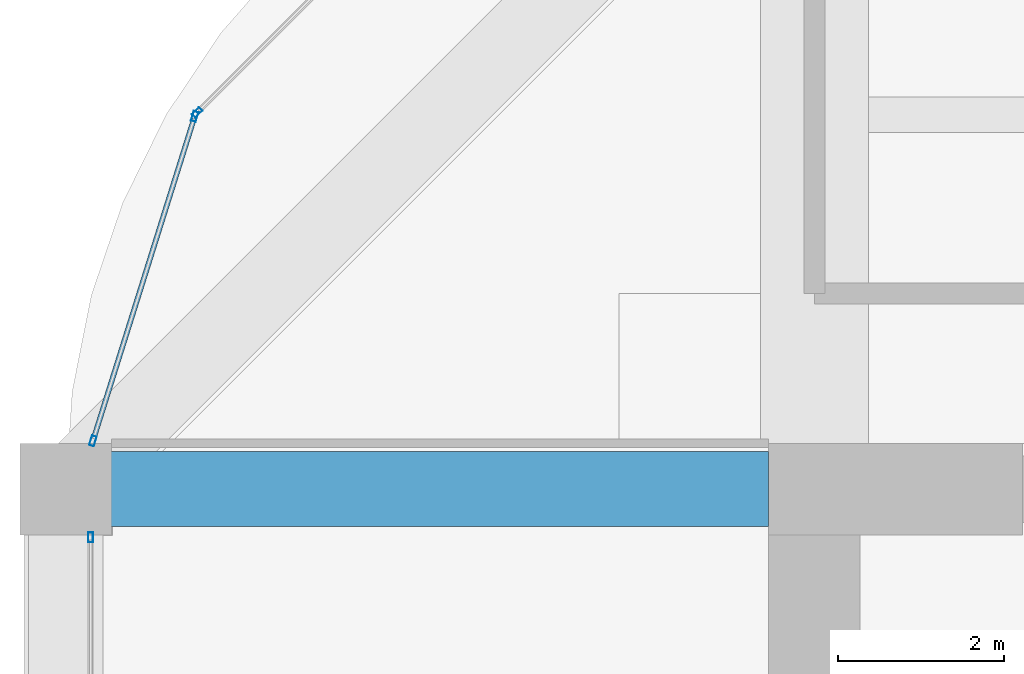
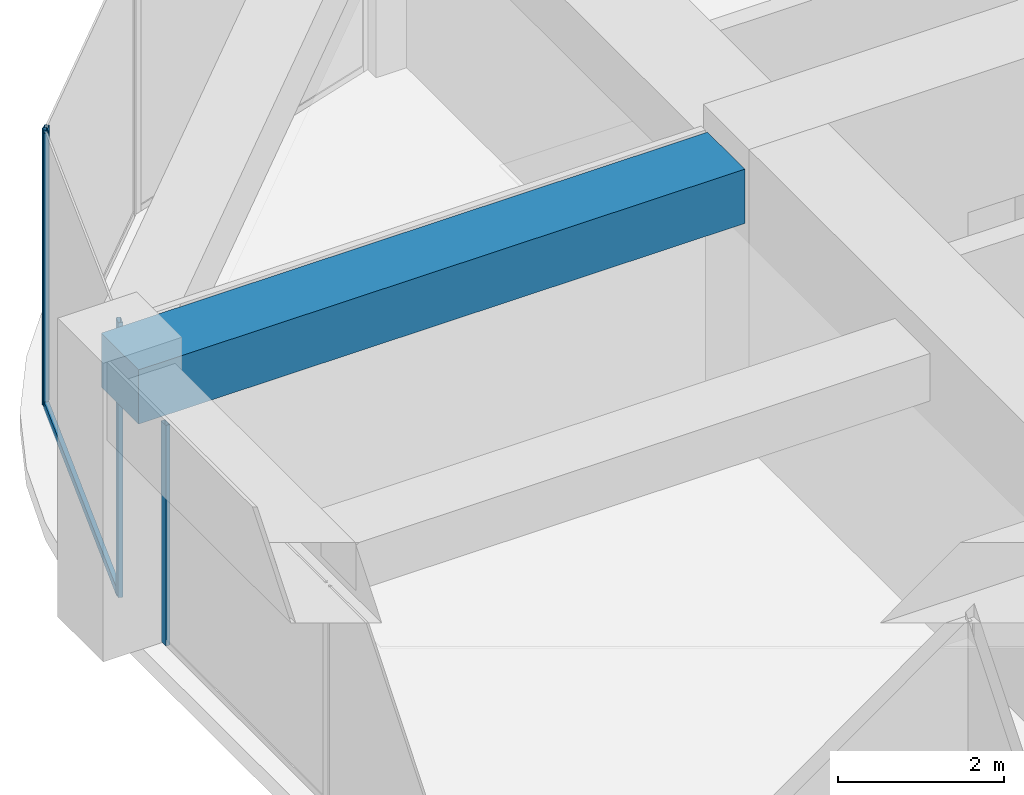
# One storey, part 28 of 44: 5 members, 1 beam, 3 elements without a shape of their own.
"""IFC4 building model written with IfcOpenShell, lengths in metres."""

import ifcopenshell
import ifcopenshell.guid

model = None  # the IFC model being written
_history = None  # IfcOwnerHistory: only IFC2X3 demands one
_inside = {}  # id of a spatial element -> (the spatial element, [elements in it])
_under = {}  # id of a project, library or spatial element -> (it, [spatial elements below it])
_declared = {}  # id of a project -> (the project, [libraries it declares])
_typed = {}  # id of a type object -> (the type object, [elements of that type])
_made_of = {}  # id of a material, layer set ... -> (it, [elements and type objects made of it])


def new_model(schema):
    """Start an empty IFC model of exactly this schema.

    Asked for "IFC4X3", IfcOpenShell would pick the latest addendum, in which some entities
    have other attributes; the version numbers below select the first issue.
    IFC2X3 requires an IfcOwnerHistory on every rooted entity: one is made here for all.
    """
    global model, _history
    if schema == "IFC4X3":
        model = ifcopenshell.file(schema_version=(4, 3, 0, 0))
    else:
        model = ifcopenshell.file(schema=schema)
    _inside.clear()
    _under.clear()
    _declared.clear()
    _typed.clear()
    _made_of.clear()
    _history = None
    if model.schema == "IFC2X3":
        org = make("IfcOrganization", Name="unknown")
        user = make(
            "IfcPersonAndOrganization",
            ThePerson=make("IfcPerson", FamilyName="unknown"),
            TheOrganization=org,
        )
        app = make(
            "IfcApplication",
            ApplicationDeveloper=org,
            Version="unknown",
            ApplicationFullName="unknown",
            ApplicationIdentifier="unknown",
        )
        _history = make(
            "IfcOwnerHistory",
            OwningUser=user,
            OwningApplication=app,
            ChangeAction="ADDED",
            CreationDate=0,
        )
    return model


def make(cls, **values):
    """One entity of the class cls with the attributes given. An attribute that is None is left unset."""
    return model.create_entity(
        cls, **{name: value for name, value in values.items() if value is not None}
    )


def rooted(cls, **values):
    """An entity with a GlobalId (a new one), such as an element, a storey or a relation."""
    return make(cls, GlobalId=ifcopenshell.guid.new(), OwnerHistory=_history, **values)


def si_unit(unit_type, name, prefix=None):
    """IfcSIUnit, for example si_unit("LENGTHUNIT", "METRE", prefix="MILLI")."""
    return make("IfcSIUnit", UnitType=unit_type, Prefix=prefix, Name=name)


def assignment(units):
    """IfcUnitAssignment: the units of a project."""
    return None if units is None else make("IfcUnitAssignment", Units=units)


def point(xyz):
    """IfcCartesianPoint."""
    return None if xyz is None else make("IfcCartesianPoint", Coordinates=xyz)


def direction(xyz):
    """IfcDirection."""
    return None if xyz is None else make("IfcDirection", DirectionRatios=xyz)


def frame(location, z_axis=None, x_axis=None):
    """IfcAxis2Placement3D, a coordinate frame: its origin and axes. An axis left out is left unset."""
    return make(
        "IfcAxis2Placement3D",
        Location=point(location),
        Axis=direction(z_axis),
        RefDirection=direction(x_axis),
    )


def frame_2d(location, x_axis=None):
    """IfcAxis2Placement2D, a coordinate frame in the plane: its origin and x axis."""
    return make(
        "IfcAxis2Placement2D", Location=point(location), RefDirection=direction(x_axis)
    )


def origin():
    """The frame at (0, 0, 0) with its axes left unset."""
    return frame((0.0, 0.0, 0.0))


def origin_2d():
    """The frame at (0, 0) in the plane with its x axis left unset."""
    return frame_2d((0.0, 0.0))


def place(relative_to, where):
    """IfcLocalPlacement: puts the frame where relative to a parent placement (None: the world)."""
    return make(
        "IfcLocalPlacement", PlacementRelTo=relative_to, RelativePlacement=where
    )


def context(
    kind, dimensions, precision=None, world=None, true_north=None, identifier=None
):
    """IfcGeometricRepresentationContext, for example the 3D "Model" context."""
    return make(
        "IfcGeometricRepresentationContext",
        ContextIdentifier=identifier,
        ContextType=kind,
        CoordinateSpaceDimension=dimensions,
        Precision=precision,
        WorldCoordinateSystem=world,
        TrueNorth=true_north,
    )


def subcontext(parent, identifier, kind, view, scale=None):
    """IfcGeometricRepresentationSubContext, for example "Body" below "Model"."""
    return make(
        "IfcGeometricRepresentationSubContext",
        ContextIdentifier=identifier,
        ContextType=kind,
        ParentContext=parent,
        TargetScale=scale,
        TargetView=view,
    )


def project(units=None, contexts=None):
    """IfcProject with its units and contexts."""
    return rooted(
        "IfcProject",
        Name="project",
        RepresentationContexts=contexts,
        UnitsInContext=assignment(units),
    )


def spatial(cls, under=None, at=None, **own):
    """A site, building, storey or space (cls), placed at a placement, below another one or the project."""
    s = rooted(cls, ObjectPlacement=at, **own)
    if under is not None:
        _under.setdefault(under.id(), (under, []))[1].append(s)
    return s


def profile(cls, at=None, kind="AREA", **sizes):
    """A parametric profile (cls). Its sizes go by their IFC names, for example OverallWidth=200.0."""
    return make(cls, ProfileType=kind, Position=at, **sizes)


def rectangle(**sizes):
    """IfcRectangleProfileDef."""
    return profile("IfcRectangleProfileDef", **sizes)


def hollow_rectangle(**sizes):
    """IfcRectangleHollowProfileDef."""
    return profile("IfcRectangleHollowProfileDef", **sizes)


def extrude(swept, where, along, depth):
    """IfcExtrudedAreaSolid: the profile swept, set in the frame where, extruded along a direction by depth."""
    return make(
        "IfcExtrudedAreaSolid",
        SweptArea=swept,
        Position=where,
        ExtrudedDirection=direction(along),
        Depth=depth,
    )


def shape(context_of_items, identifier, shape_type, items):
    """IfcShapeRepresentation: the items that make up one representation, for example the "Body"."""
    return make(
        "IfcShapeRepresentation",
        ContextOfItems=context_of_items,
        RepresentationIdentifier=identifier,
        RepresentationType=shape_type,
        Items=items,
    )


def material(Name=None, Category=None):
    """IfcMaterial."""
    return make("IfcMaterial", Name=Name, Category=Category)


def material_profile(
    of_material, cross_section, Name=None, Category=None, Priority=None
):
    """IfcMaterialProfile: a cross section and its material."""
    return make(
        "IfcMaterialProfile",
        Name=Name,
        Material=of_material,
        Profile=cross_section,
        Priority=Priority,
        Category=Category,
    )


def profile_set(profiles, Name=None, composite=None):
    """IfcMaterialProfileSet."""
    return make(
        "IfcMaterialProfileSet",
        Name=Name,
        MaterialProfiles=profiles,
        CompositeProfile=composite,
    )


def made_of(thing, what):
    """Note that an element or type object is made of a material, layer set ...; save() writes the relation."""
    if what is not None:
        _made_of.setdefault(what.id(), (what, []))[1].append(thing)
    return thing


def type_object(cls, material=None, **own):
    """A type object (cls), such as IfcWallType, which elements share."""
    return made_of(rooted(cls, **own), material)


def element(
    cls,
    number,
    at=None,
    inside=None,
    cuts=None,
    type_object=None,
    material=None,
    context=None,
    identifier="Body",
    shape_type=None,
    held_by="IfcProductDefinitionShape",
    body=None,
    shapes=None,
    **own,
):
    """One element of the class cls, such as IfcWall. Its Tag is "e" and its number.

    at: its placement. inside: the storey or other place that contains it. cuts: it is an
    opening in that element (IfcRelVoidsElement). A single representation is given by context,
    identifier, shape_type and body (its items); several are given by shapes. held_by: the class
    of the entity that holds the representations. save() writes the other relations.
    """
    e = rooted(cls, Tag="e%d" % number, ObjectPlacement=at, **own)
    if body is not None:
        shapes = [shape(context, identifier, shape_type, body)]
    if shapes is not None:
        e.Representation = make(held_by, Representations=shapes)
    if inside is not None:
        _inside.setdefault(inside.id(), (inside, []))[1].append(e)
    if cuts is not None:
        rooted(
            "IfcRelVoidsElement", RelatingBuildingElement=cuts, RelatedOpeningElement=e
        )
    if type_object is not None:
        _typed.setdefault(type_object.id(), (type_object, []))[1].append(e)
    return made_of(e, material)


def aggregate(whole, parts):
    """IfcRelAggregates: a whole, such as a stair, and the parts it consists of."""
    return rooted("IfcRelAggregates", RelatingObject=whole, RelatedObjects=parts)


def save(model, path):
    """Write the relations noted so far, then the file.

    IfcRelAggregates (storeys below a building ...), IfcRelContainedInSpatialStructure (elements
    in a storey), IfcRelDefinesByType, IfcRelAssociatesMaterial and IfcRelDeclares: one each for
    every whole, place, type object, material and project.
    """
    for whole, parts in _under.values():
        aggregate(whole, parts)
    for where, things in _inside.values():
        rooted(
            "IfcRelContainedInSpatialStructure",
            RelatedElements=things,
            RelatingStructure=where,
        )
    for kind, things in _typed.values():
        rooted("IfcRelDefinesByType", RelatedObjects=things, RelatingType=kind)
    for what, things in _made_of.values():
        rooted("IfcRelAssociatesMaterial", RelatedObjects=things, RelatingMaterial=what)
    for by, libraries in _declared.values():
        rooted("IfcRelDeclares", RelatingContext=by, RelatedDefinitions=libraries)
    model.write(path)


model = new_model("IFC4")

# Units and contexts
model_context = context("Model", 3, precision=1e-05, world=origin(), true_north=direction((0.0, 1.0)))
body_context = subcontext(model_context, "Body", "Model", "MODEL_VIEW")
ifc_project = project(units=[si_unit("LENGTHUNIT", "METRE"), si_unit("AREAUNIT", "SQUARE_METRE"), si_unit("VOLUMEUNIT", "CUBIC_METRE"), si_unit("PLANEANGLEUNIT", "RADIAN"), si_unit("MASSUNIT", "GRAM", prefix="KILO")], contexts=[model_context])

# Site, building, storey
site_placement = place(None, origin())
site = spatial("IfcSite", under=ifc_project, at=site_placement, CompositionType="ELEMENT")
building_placement = place(site_placement, origin())
building = spatial("IfcBuilding", under=site, at=building_placement, Name="Zorevar Civic Tower", CompositionType="ELEMENT")
storey_placement = place(building_placement, frame((0.0, 0.0, 307.39990234375)))
storey = spatial("IfcBuildingStorey", under=building, at=storey_placement, Name="L75", CompositionType="ELEMENT", Elevation=307.39990234375)

# Beam
ifc_material_1 = material(Name="Concrete C50/60", Category="concrete")
ifc_material_profile_1 = material_profile(ifc_material_1, rectangle(XDim=0.89990234375, YDim=0.800048828125, at=origin_2d()), Name="RC 900x800")
ifc_profile_set_1 = profile_set([ifc_material_profile_1], Name="Concrete C50/60")
beam_type = type_object("IfcBeamType", Name="Beam RC 900x800", PredefinedType="BEAM", material=ifc_profile_set_1)
beam_placement = place(storey_placement, frame((9.0, 36.0, 3.650146484375), z_axis=(1.0, 0.0, 0.0), x_axis=(0.0, 1.0, 0.0)))
element("IfcBeam", 1, at=beam_placement, inside=storey, type_object=beam_type, Name="Girder RF", PredefinedType="BEAM", context=body_context, shape_type="SweptSolid", body=[
    extrude(rectangle(XDim=0.89990234375, YDim=0.800048828125, at=origin_2d()), origin(), (0.0, 0.0, 1.0), 8.449951171875),
])

# Curtain wall, member
ifc_material_2 = material(Name="Dark grey solar-control glass in black aluminium frame", Category="aluminium")
curtain_wall_type = type_object("IfcCurtainWallType", Name="Curtain wall CW5 top zone", PredefinedType="NOTDEFINED", material=ifc_material_2)
curtain_wall_1_placement = place(storey_placement, origin())
curtain_wall_1 = element("IfcCurtainWall", 2, at=curtain_wall_1_placement, inside=storey, type_object=curtain_wall_type, Name="CW5 L75", PredefinedType="NOTDEFINED")
ifc_material_3 = material(Name="Aluminium, black anodised", Category="aluminium")
ifc_material_profile_2 = material_profile(ifc_material_3, hollow_rectangle(XDim=0.06005859375, YDim=0.1201171875, WallThickness=0.0029296875, at=origin_2d()), Name="AL 120x60x3")
ifc_profile_set_2 = profile_set([ifc_material_profile_2], Name="Aluminium, black anodised")
member_type_1 = type_object("IfcMemberType", Name="CW5 mullion AL 120x60x3", PredefinedType="MULLION", material=ifc_profile_set_2)
member_1_placement = place(storey_placement, frame((9.300048828125, 35.419921875, 0.0), z_axis=(0.0, 0.0, 1.0), x_axis=(-1.0, 0.0, 0.0)))
member_1 = element("IfcMember", 3, at=member_1_placement, type_object=member_type_1, Name="CW5 mullion 3", PredefinedType="MULLION", context=body_context, shape_type="SweptSolid", body=[
    extrude(hollow_rectangle(XDim=0.06005859375, YDim=0.1201171875, WallThickness=0.0029296875, at=origin_2d()), origin(), (0.0, 0.0, 1.0), 3.25),
])
aggregate(curtain_wall_1, [member_1])

curtain_wall_2_placement = place(storey_placement, origin())
curtain_wall_2 = element("IfcCurtainWall", 4, at=curtain_wall_2_placement, inside=storey, type_object=curtain_wall_type, Name="CW5 L75", PredefinedType="NOTDEFINED")
member_2_placement = place(storey_placement, frame((10.580322265625, 40.529052734375, 0.0), z_axis=(0.0, 0.0, 1.0), x_axis=(0.707106781187, -0.707106781187, 0.0)))
member_2 = element("IfcMember", 5, at=member_2_placement, type_object=member_type_1, Name="CW5 mullion 2", PredefinedType="MULLION", context=body_context, shape_type="SweptSolid", body=[
    extrude(hollow_rectangle(XDim=0.06005859375, YDim=0.1201171875, WallThickness=0.0029296875, at=origin_2d()), origin(), (0.0, 0.0, 1.0), 4.050048828125),
])
aggregate(curtain_wall_2, [member_2])

# Curtain wall, members
curtain_wall_3_placement = place(storey_placement, origin())
curtain_wall_3 = element("IfcCurtainWall", 6, at=curtain_wall_3_placement, inside=storey, type_object=curtain_wall_type, Name="CW5 L75", PredefinedType="NOTDEFINED")
member_3_placement = place(storey_placement, frame((10.550048828125, 40.479248046875, 0.0), z_axis=(0.0, 0.0, 1.0), x_axis=(0.954153437674, -0.299317920238, 0.0)))
member_3 = element("IfcMember", 7, at=member_3_placement, type_object=member_type_1, Name="CW5 mullion 1", PredefinedType="MULLION", context=body_context, shape_type="SweptSolid", body=[
    extrude(hollow_rectangle(XDim=0.06005859375, YDim=0.1201171875, WallThickness=0.0029296875, at=origin_2d()), origin(), (0.0, 0.0, 1.0), 4.050048828125),
])
member_4_placement = place(storey_placement, frame((9.326416015625, 36.57861328125, 0.0), z_axis=(0.0, 0.0, 1.0), x_axis=(0.954153437674, -0.299317920238, 0.0)))
member_4 = element("IfcMember", 8, at=member_4_placement, type_object=member_type_1, Name="CW5 mullion 2", PredefinedType="MULLION", context=body_context, shape_type="SweptSolid", body=[
    extrude(hollow_rectangle(XDim=0.06005859375, YDim=0.1201171875, WallThickness=0.0029296875, at=origin_2d()), origin(), (0.0, 0.0, 1.0), 4.050048828125),
])
ifc_material_4 = material(Name="Aluminium, black anodised", Category="aluminium")
ifc_material_profile_3 = material_profile(ifc_material_4, hollow_rectangle(XDim=0.06005859375, YDim=0.1201171875, WallThickness=0.0029296875, at=origin_2d()), Name="AL 120x60x3")
ifc_profile_set_3 = profile_set([ifc_material_profile_3], Name="Aluminium, black anodised")
member_type_2 = type_object("IfcMemberType", Name="CW5 transom AL 120x60x3", PredefinedType="USERDEFINED", material=ifc_profile_set_3)
member_5_placement = place(storey_placement, frame((10.541015625, 40.45068359375, 0.030029296875), z_axis=(-0.299285978047, -0.954163457351, 0.0), x_axis=(0.954163457351, -0.299285978047, 0.0)))
member_5 = element("IfcMember", 9, at=member_5_placement, type_object=member_type_2, Name="CW5 sill transom", ObjectType="TRANSOM", PredefinedType="USERDEFINED", context=body_context, shape_type="SweptSolid", body=[
    extrude(hollow_rectangle(XDim=0.06005859375, YDim=0.1201171875, WallThickness=0.0029296875, at=origin_2d()), origin(), (0.0, 0.0, 1.0), 4.028076171875),
])
aggregate(curtain_wall_3, [member_3, member_4, member_5])

save(model, "model.ifc")
